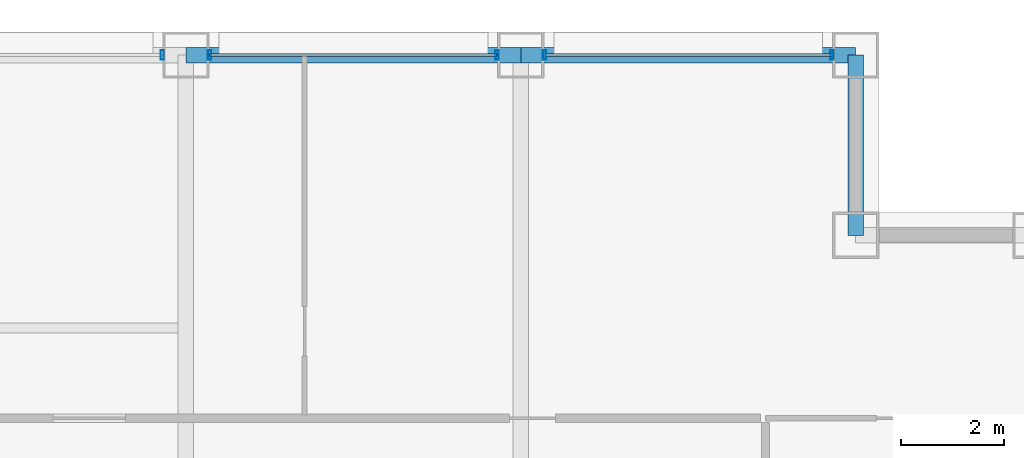
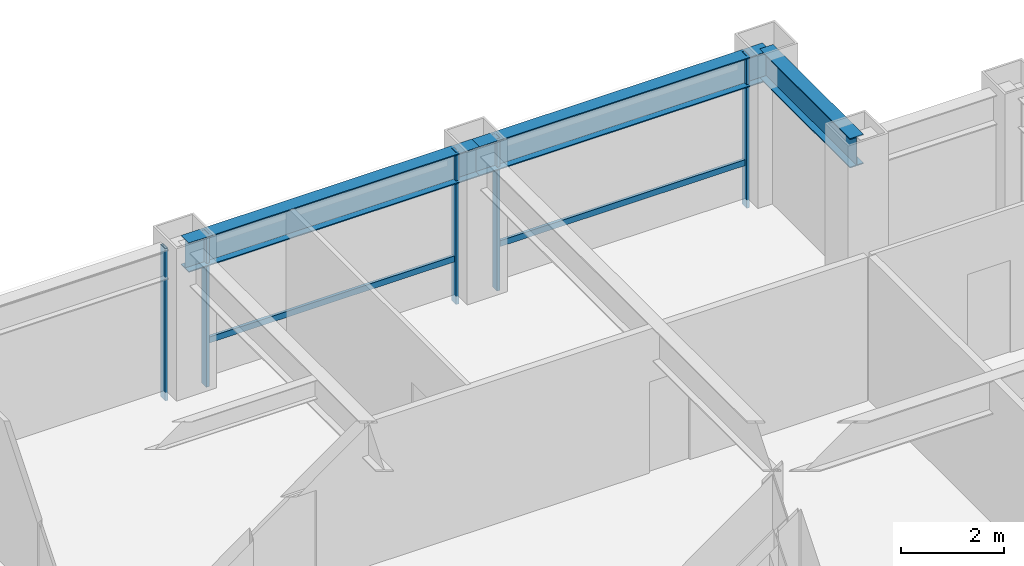
# One storey, part 22 of 29: 7 members, 3 beams, 3 elements without a shape of their own.
"""IFC4 building model written with IfcOpenShell, lengths in metres."""

from ifc_helpers import new_model, si_unit, direction, frame, origin, origin_2d, place, context, subcontext, project, spatial, hollow_rectangle, i_section, extrude, material, layer, layer_set, material_profile, profile_set, type_object, element, aggregate, save


model = new_model("IFC4")

# Units and contexts
model_context = context("Model", 3, precision=1e-05, world=origin(), true_north=direction((0.0, 1.0)))
body_context = subcontext(model_context, "Body", "Model", "MODEL_VIEW")
ifc_project = project(units=[si_unit("LENGTHUNIT", "METRE"), si_unit("AREAUNIT", "SQUARE_METRE"), si_unit("VOLUMEUNIT", "CUBIC_METRE"), si_unit("PLANEANGLEUNIT", "RADIAN"), si_unit("MASSUNIT", "GRAM", prefix="KILO")], contexts=[model_context])

# Site, building, storey
site_placement = place(None, origin())
site = spatial("IfcSite", under=ifc_project, at=site_placement, CompositionType="ELEMENT")
building_placement = place(site_placement, origin())
building = spatial("IfcBuilding", under=site, at=building_placement, Name="Brelmoor Portico Tower", CompositionType="ELEMENT")
storey_placement = place(building_placement, frame((0.0, 0.0, 52.800048828125)))
storey = spatial("IfcBuildingStorey", under=building, at=storey_placement, Name="L13", CompositionType="ELEMENT", Elevation=52.800048828125)

# Beams
ifc_material_1 = material(Name="Steel Q355B", Category="steel")
ifc_material_profile_1 = material_profile(ifc_material_1, i_section(OverallWidth=0.300048828125, OverallDepth=0.699951171875, WebThickness=0.012939453125, FlangeThickness=0.02392578125, at=origin_2d()), Name="HN 700x300x13x24")
ifc_profile_set_1 = profile_set([ifc_material_profile_1], Name="Steel Q355B")
beam_type = type_object("IfcBeamType", Name="BM-SP-700", PredefinedType="SPANDREL", material=ifc_profile_set_1)
for number, where, z_axis, x_axis, name in (
    (1, (8.050048828125, 21.550048828125, 3.050048828125), (1.0, 0.0, 0.0), (0.0, 1.0, 0.0), "L13 Perimeter Spandrel Beam SP-13"),
    (2, (14.550048828125, 21.550048828125, 3.050048828125), (1.0, 0.0, 0.0), (0.0, 1.0, 0.0), "L13 Perimeter Spandrel Beam SP-14"),
):
    element("IfcBeam", number, at=place(storey_placement, frame(where, z_axis=z_axis, x_axis=x_axis)), inside=storey, type_object=beam_type, Name=name, PredefinedType="SPANDREL", context=body_context, shape_type="SweptSolid", body=[
        extrude(i_section(OverallWidth=0.300048828125, OverallDepth=0.699951171875, WebThickness=0.012939453125, FlangeThickness=0.02392578125, at=origin_2d()), origin(), (0.0, 0.0, 1.0), 6.5),
    ])
beam_placement = place(storey_placement, frame((21.050048828125, 18.050048828125, 3.050048828125), z_axis=(0.0, 1.0, 0.0), x_axis=(-1.0, 0.0, 0.0)))
element("IfcBeam", 3, at=beam_placement, inside=storey, type_object=beam_type, Name="L13 Perimeter Spandrel Beam SP-21", PredefinedType="SPANDREL", context=body_context, shape_type="SweptSolid", body=[
    extrude(i_section(OverallWidth=0.300048828125, OverallDepth=0.699951171875, WebThickness=0.012939453125, FlangeThickness=0.02392578125, at=origin_2d()), origin(), (0.0, 0.0, 1.0), 3.5),
])

# Curtain wall, member
ifc_material_2 = material(Name="Anodised Aluminium Alloy 6063-T6", Category="aluminium")
ifc_layer_1 = layer(ifc_material_2, 0.179931640625)
ifc_layer_set_1 = layer_set([ifc_layer_1], Name="Anodised Aluminium Alloy 6063-T6")
curtain_wall_type_1 = type_object("IfcCurtainWallType", Name="CW-TOWER-Z1-XB", PredefinedType="NOTDEFINED", material=ifc_layer_set_1)
curtain_wall_1_placement = place(storey_placement, origin())
curtain_wall_1 = element("IfcCurtainWall", 4, at=curtain_wall_1_placement, inside=storey, type_object=curtain_wall_type_1, Name="L13 Curtain Wall CW-L13-02-3", PredefinedType="NOTDEFINED")
ifc_material_profile_2 = material_profile(ifc_material_2, hollow_rectangle(XDim=0.06494140625, YDim=0.179931640625, WallThickness=0.00390625, at=origin_2d()), Name="ALU MULLION 65x180")
ifc_profile_set_2 = profile_set([ifc_material_profile_2], Name="Anodised Aluminium Alloy 6063-T6")
member_type_1 = type_object("IfcMemberType", Name="MB-CW-MULL-180", PredefinedType="MULLION", material=ifc_profile_set_2)
member_1_placement = place(storey_placement, frame((7.590087890625, 21.550048828125, -0.199951171875), z_axis=(0.0, 0.0, 1.0), x_axis=(1.0, 0.0, 0.0)))
member_1 = element("IfcMember", 5, at=member_1_placement, type_object=member_type_1, Name="CW-L13-02-3 Mullion 01", PredefinedType="MULLION", context=body_context, shape_type="SweptSolid", body=[
    extrude(hollow_rectangle(XDim=0.06494140625, YDim=0.179931640625, WallThickness=0.00390625, at=origin_2d()), origin(), (0.0, 0.0, 1.0), 3.599853515625),
])
aggregate(curtain_wall_1, [member_1])

# Curtain wall, members
ifc_layer_2 = layer(ifc_material_2, 0.179931640625)
ifc_layer_set_2 = layer_set([ifc_layer_2], Name="Anodised Aluminium Alloy 6063-T6")
curtain_wall_type_2 = type_object("IfcCurtainWallType", Name="CW-TOWER-Z1", PredefinedType="NOTDEFINED", material=ifc_layer_set_2)
curtain_wall_2_placement = place(storey_placement, origin())
curtain_wall_2 = element("IfcCurtainWall", 6, at=curtain_wall_2_placement, inside=storey, type_object=curtain_wall_type_2, Name="L13 Curtain Wall CW-L13-02-4", PredefinedType="NOTDEFINED")
member_2_placement = place(storey_placement, frame((8.510009765625, 21.550048828125, -0.199951171875), z_axis=(0.0, 0.0, 1.0), x_axis=(1.0, 0.0, 0.0)))
member_2 = element("IfcMember", 7, at=member_2_placement, type_object=member_type_1, Name="CW-L13-02-4 Mullion 00", PredefinedType="MULLION", context=body_context, shape_type="SweptSolid", body=[
    extrude(hollow_rectangle(XDim=0.06494140625, YDim=0.179931640625, WallThickness=0.00390625, at=origin_2d()), origin(), (0.0, 0.0, 1.0), 3.599853515625),
])
member_3_placement = place(storey_placement, frame((14.090087890625, 21.550048828125, -0.199951171875), z_axis=(0.0, 0.0, 1.0), x_axis=(1.0, 0.0, 0.0)))
member_3 = element("IfcMember", 8, at=member_3_placement, type_object=member_type_1, Name="CW-L13-02-4 Mullion 01", PredefinedType="MULLION", context=body_context, shape_type="SweptSolid", body=[
    extrude(hollow_rectangle(XDim=0.06494140625, YDim=0.179931640625, WallThickness=0.00390625, at=origin_2d()), origin(), (0.0, 0.0, 1.0), 3.599853515625),
])

curtain_wall_3_placement = place(storey_placement, origin())
curtain_wall_3 = element("IfcCurtainWall", 9, at=curtain_wall_3_placement, inside=storey, type_object=curtain_wall_type_2, Name="L13 Curtain Wall CW-L13-02-5", PredefinedType="NOTDEFINED")
member_4_placement = place(storey_placement, frame((15.010009765625, 21.550048828125, -0.199951171875), z_axis=(0.0, 0.0, 1.0), x_axis=(1.0, 0.0, 0.0)))
member_4 = element("IfcMember", 10, at=member_4_placement, type_object=member_type_1, Name="CW-L13-02-5 Mullion 00", PredefinedType="MULLION", context=body_context, shape_type="SweptSolid", body=[
    extrude(hollow_rectangle(XDim=0.06494140625, YDim=0.179931640625, WallThickness=0.00390625, at=origin_2d()), origin(), (0.0, 0.0, 1.0), 3.599853515625),
])
member_5_placement = place(storey_placement, frame((20.590087890625, 21.550048828125, -0.199951171875), z_axis=(0.0, 0.0, 1.0), x_axis=(1.0, 0.0, 0.0)))
member_5 = element("IfcMember", 11, at=member_5_placement, type_object=member_type_1, Name="CW-L13-02-5 Mullion 01", PredefinedType="MULLION", context=body_context, shape_type="SweptSolid", body=[
    extrude(hollow_rectangle(XDim=0.06494140625, YDim=0.179931640625, WallThickness=0.00390625, at=origin_2d()), origin(), (0.0, 0.0, 1.0), 3.599853515625),
])

# Member
ifc_material_profile_3 = material_profile(ifc_material_2, hollow_rectangle(XDim=0.06494140625, YDim=0.139892578125, WallThickness=0.00390625, at=origin_2d()), Name="ALU TRANSOM 65x140")
ifc_profile_set_3 = profile_set([ifc_material_profile_3], Name="Anodised Aluminium Alloy 6063-T6")
member_type_2 = type_object("IfcMemberType", Name="MB-CW-TRAN-140", PredefinedType="USERDEFINED", material=ifc_profile_set_3)
member_6_placement = place(storey_placement, frame((8.510009765625, 21.550048828125, 0.849853515625), z_axis=(1.0, 0.0, 0.0), x_axis=(0.0, 1.0, 0.0)))
member_6 = element("IfcMember", 12, at=member_6_placement, type_object=member_type_2, Name="CW-L13-02-4 Transom 1-00", ObjectType="TRANSOM", PredefinedType="USERDEFINED", context=body_context, shape_type="SweptSolid", body=[
    extrude(hollow_rectangle(XDim=0.06494140625, YDim=0.139892578125, WallThickness=0.00390625, at=origin_2d()), origin(), (0.0, 0.0, 1.0), 5.580078125),
])

aggregate(curtain_wall_2, [member_2, member_3, member_6])

member_7_placement = place(storey_placement, frame((15.010009765625, 21.550048828125, 0.849853515625), z_axis=(1.0, 0.0, 0.0), x_axis=(0.0, 1.0, 0.0)))
member_7 = element("IfcMember", 13, at=member_7_placement, type_object=member_type_2, Name="CW-L13-02-5 Transom 1-00", ObjectType="TRANSOM", PredefinedType="USERDEFINED", context=body_context, shape_type="SweptSolid", body=[
    extrude(hollow_rectangle(XDim=0.06494140625, YDim=0.139892578125, WallThickness=0.00390625, at=origin_2d()), origin(), (0.0, 0.0, 1.0), 5.580078125),
])

aggregate(curtain_wall_3, [member_4, member_5, member_7])

save(model, "model.ifc")
